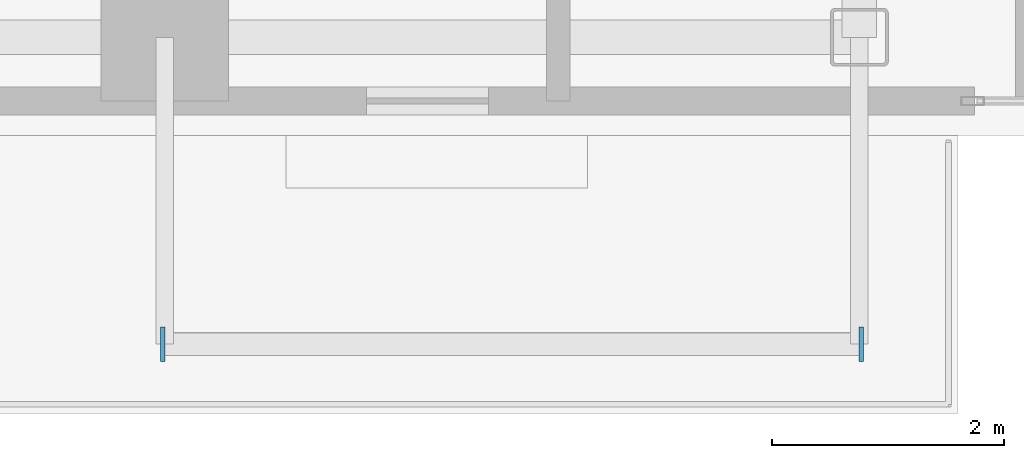
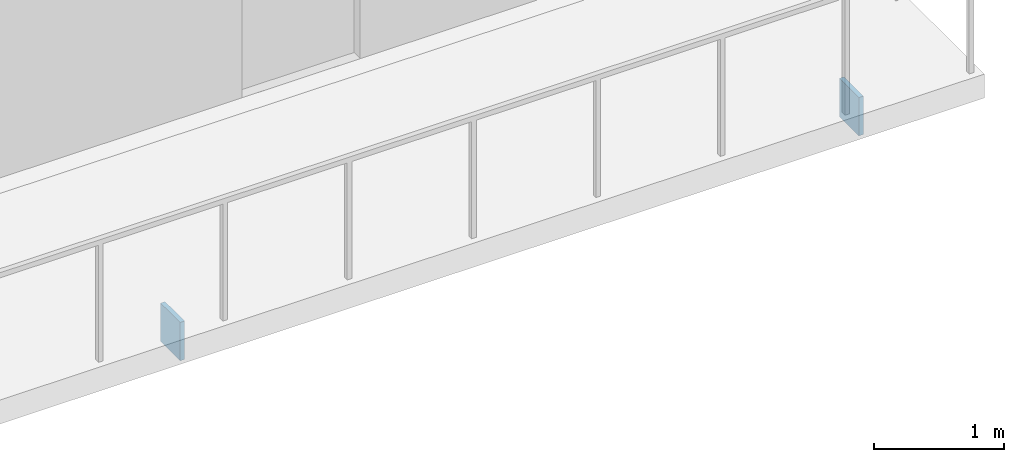
# One storey, part 20 of 28: 2 plates.
"""IFC4 building model written with IfcOpenShell, lengths in metres."""

from ifc_helpers import new_model, si_unit, direction, frame, origin, origin_2d, place, context, subcontext, project, spatial, rectangle, extrude, material, layer, layer_set, type_object, element, save


model = new_model("IFC4")

# Units and contexts
model_context = context("Model", 3, precision=1e-05, world=origin(), true_north=direction((0.0, 1.0)))
body_context = subcontext(model_context, "Body", "Model", "MODEL_VIEW")
ifc_project = project(units=[si_unit("LENGTHUNIT", "METRE"), si_unit("AREAUNIT", "SQUARE_METRE"), si_unit("VOLUMEUNIT", "CUBIC_METRE"), si_unit("PLANEANGLEUNIT", "RADIAN"), si_unit("MASSUNIT", "GRAM", prefix="KILO"), si_unit("THERMODYNAMICTEMPERATUREUNIT", "KELVIN"), si_unit("POWERUNIT", "WATT")], contexts=[model_context])

# Site, building, storey
site_placement = place(None, origin())
site = spatial("IfcSite", under=ifc_project, at=site_placement, CompositionType="ELEMENT")
building_placement = place(site_placement, origin())
building = spatial("IfcBuilding", under=site, at=building_placement, Name="Svarakhadi Broadcast Tower", CompositionType="ELEMENT")
storey_placement = place(building_placement, frame((0.0, 0.0, 123.14990234375)))
storey = spatial("IfcBuildingStorey", under=building, at=storey_placement, Name="L29", CompositionType="ELEMENT", Elevation=123.14990234375)

# Plates
ifc_material = material(Name="Steel S460ML (IS 2062 E450BR)", Category="steel")
ifc_layer = layer(ifc_material, 0.028076171875)
ifc_layer_set = layer_set([ifc_layer], Name="Steel S460ML (IS 2062 E450BR)")
plate_type = type_object("IfcPlateType", Name="Cap_Plate_CP02", PredefinedType="USERDEFINED", material=ifc_layer_set)
for number, where, z_axis, x_axis, name in (
    (1, (35.135009765625, -1.800048828125, -0.55517578125), (0.0, 0.0, 1.0), (1.0, 0.0, 0.0), "L29 Balcony Spandrel End Cap Plate 1F-A"),
    (2, (41.1650390625, -1.800048828125, -0.55517578125), (0.0, 0.0, 1.0), (1.0, 0.0, 0.0), "L29 Balcony Spandrel End Cap Plate 1F-B"),
):
    element("IfcPlate", number, at=place(storey_placement, frame(where, z_axis=z_axis, x_axis=x_axis)), inside=storey, type_object=plate_type, Name=name, ObjectType="FLANGE_PLATE", PredefinedType="USERDEFINED", context=body_context, shape_type="SweptSolid", body=[
        extrude(rectangle(XDim=0.0400390625, YDim=0.300048828125, at=origin_2d()), origin(), (0.0, 0.0, 1.0), 0.360107421875),
    ])

save(model, "model.ifc")
